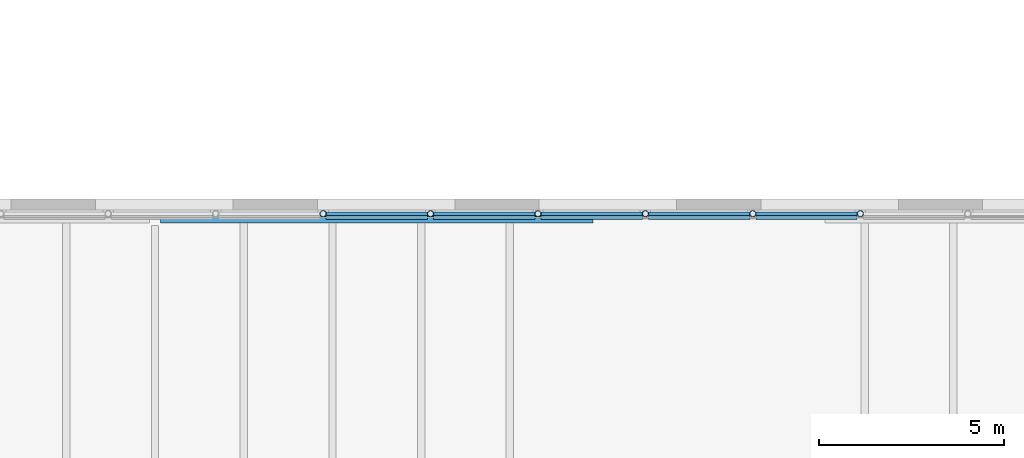
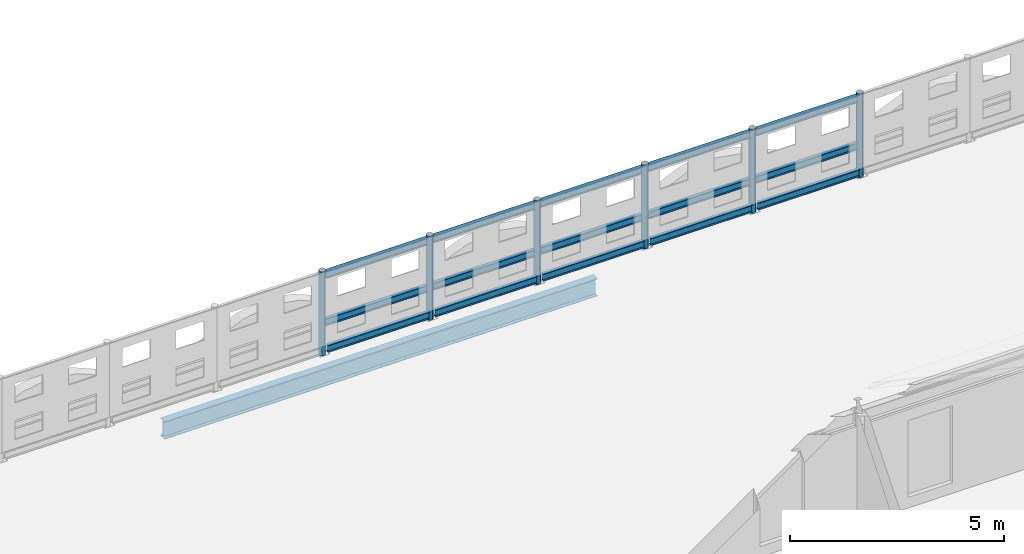
# One storey, part 35 of 91: 21 members, 1 beam.
"""IFC4 building model written with IfcOpenShell, lengths in metres."""

from ifc_helpers import new_model, si_unit, direction, frame, origin, origin_2d, place, context, subcontext, project, spatial, hollow_circle, i_section, extrude, material, material_profile, profile_set, type_object, element, save


model = new_model("IFC4")

# Units and contexts
model_context = context("Model", 3, precision=1e-05, world=origin(), true_north=direction((0.0, 1.0)))
body_context = subcontext(model_context, "Body", "Model", "MODEL_VIEW")
ifc_project = project(units=[si_unit("LENGTHUNIT", "METRE"), si_unit("AREAUNIT", "SQUARE_METRE"), si_unit("VOLUMEUNIT", "CUBIC_METRE"), si_unit("PLANEANGLEUNIT", "RADIAN"), si_unit("MASSUNIT", "GRAM", prefix="KILO")], contexts=[model_context])

# Site, building, storey
site_placement = place(None, origin())
site = spatial("IfcSite", under=ifc_project, at=site_placement, CompositionType="ELEMENT")
building_placement = place(site_placement, origin())
building = spatial("IfcBuilding", under=site, at=building_placement, Name="Ravi Spectrum Wholesale Market", CompositionType="ELEMENT")
storey_placement = place(building_placement, frame((0.0, 0.0, 16.199951171875)))
storey = spatial("IfcBuildingStorey", under=building, at=storey_placement, Name="ROOF PLANT LEVEL", CompositionType="ELEMENT", Elevation=16.199951171875)

# Members
ifc_material_1 = material(Name="Steel S355", Category="steel")
ifc_material_profile_1 = material_profile(ifc_material_1, hollow_circle(Radius=0.084228515625, WallThickness=0.00634765625, at=origin_2d()))
ifc_profile_set_1 = profile_set([ifc_material_profile_1], Name="Steel S355")
member_type_1 = type_object("IfcMemberType", Name="CHS 168.3x6.3 post", PredefinedType="POST", material=ifc_profile_set_1)
for number, where, z_axis, x_axis, name in (
    (1, (253.0810546875, 66.14990234375, 0.0), (0.0, 0.0, 1.0), (1.0, 0.0, 0.0), "CS-MB-ROOF-057"),
    (2, (250.174072265625, 66.14990234375, 0.0), (0.0, 0.0, 1.0), (1.0, 0.0, 0.0), "CS-MB-ROOF-058"),
    (3, (247.267333984375, 66.14990234375, 0.0), (0.0, 0.0, 1.0), (1.0, 0.0, 0.0), "CS-MB-ROOF-059"),
    (4, (244.3603515625, 66.14990234375, 0.0), (0.0, 0.0, 1.0), (1.0, 0.0, 0.0), "CS-MB-ROOF-060"),
    (5, (241.453369140625, 66.14990234375, 0.0), (0.0, 0.0, 1.0), (1.0, 0.0, 0.0), "CS-MB-ROOF-061"),
    (6, (238.546630859375, 66.14990234375, 0.0), (0.0, 0.0, 1.0), (1.0, 0.0, 0.0), "CS-MB-ROOF-062"),
):
    element("IfcMember", number, at=place(storey_placement, frame(where, z_axis=z_axis, x_axis=x_axis)), inside=storey, type_object=member_type_1, Name=name, PredefinedType="POST", context=body_context, shape_type="SweptSolid", body=[
        extrude(hollow_circle(Radius=0.084228515625, WallThickness=0.00634765625, at=origin_2d()), origin(), (0.0, 0.0, 1.0), 2.400146484375),
    ])
ifc_material_2 = material(Name="Steel S355", Category="steel")
ifc_material_profile_2 = material_profile(ifc_material_2, i_section(OverallWidth=0.10009765625, OverallDepth=0.199951171875, WebThickness=0.005615234375, FlangeThickness=0.008544921875, at=origin_2d()))
ifc_profile_set_2 = profile_set([ifc_material_profile_2], Name="Steel S355")
member_type_2 = type_object("IfcMemberType", Name="IPE 200 purlin", PredefinedType="PURLIN", material=ifc_profile_set_2)
for number, where, z_axis, x_axis, name in (
    (7, (252.996826171875, 66.14990234375, 0.900146484375), (-1.0, 0.0, 0.0), (0.0, -1.0, 0.0), "CS-MB-ROOF-255"),
    (8, (252.996826171875, 66.14990234375, 2.25), (-1.0, 0.0, 0.0), (0.0, -1.0, 0.0), "CS-MB-ROOF-256"),
    (9, (252.996826171875, 66.05078125, 0.199951171875), (-1.0, 0.0, 0.0), (0.0, -1.0, 0.0), "CS-MB-ROOF-257"),
):
    element("IfcMember", number, at=place(storey_placement, frame(where, z_axis=z_axis, x_axis=x_axis)), inside=storey, type_object=member_type_2, Name=name, PredefinedType="PURLIN", context=body_context, shape_type="SweptSolid", body=[
        extrude(i_section(OverallWidth=0.10009765625, OverallDepth=0.199951171875, WebThickness=0.005615234375, FlangeThickness=0.008544921875, at=origin_2d()), origin(), (0.0, 0.0, 1.0), 2.738525390625),
    ])
for number, where, z_axis, x_axis, name in (
    (10, (250.090087890625, 66.14990234375, 0.900146484375), (-1.0, 0.0, 0.0), (0.0, -1.0, 0.0), "CS-MB-ROOF-258"),
    (11, (250.090087890625, 66.14990234375, 2.25), (-1.0, 0.0, 0.0), (0.0, -1.0, 0.0), "CS-MB-ROOF-259"),
    (12, (250.090087890625, 66.05078125, 0.199951171875), (-1.0, 0.0, 0.0), (0.0, -1.0, 0.0), "CS-MB-ROOF-260"),
):
    element("IfcMember", number, at=place(storey_placement, frame(where, z_axis=z_axis, x_axis=x_axis)), inside=storey, type_object=member_type_2, Name=name, PredefinedType="PURLIN", context=body_context, shape_type="SweptSolid", body=[
        extrude(i_section(OverallWidth=0.10009765625, OverallDepth=0.199951171875, WebThickness=0.005615234375, FlangeThickness=0.008544921875, at=origin_2d()), origin(), (0.0, 0.0, 1.0), 2.73876953125),
    ])
for number, where, z_axis, x_axis, name in (
    (13, (247.18310546875, 66.14990234375, 0.900146484375), (-1.0, 0.0, 0.0), (0.0, -1.0, 0.0), "CS-MB-ROOF-261"),
    (14, (247.18310546875, 66.14990234375, 2.25), (-1.0, 0.0, 0.0), (0.0, -1.0, 0.0), "CS-MB-ROOF-262"),
    (15, (247.18310546875, 66.05078125, 0.199951171875), (-1.0, 0.0, 0.0), (0.0, -1.0, 0.0), "CS-MB-ROOF-263"),
    (16, (244.276123046875, 66.14990234375, 0.900146484375), (-1.0, 0.0, 0.0), (0.0, -1.0, 0.0), "CS-MB-ROOF-264"),
    (17, (244.276123046875, 66.14990234375, 2.25), (-1.0, 0.0, 0.0), (0.0, -1.0, 0.0), "CS-MB-ROOF-265"),
    (18, (244.276123046875, 66.05078125, 0.199951171875), (-1.0, 0.0, 0.0), (0.0, -1.0, 0.0), "CS-MB-ROOF-266"),
):
    element("IfcMember", number, at=place(storey_placement, frame(where, z_axis=z_axis, x_axis=x_axis)), inside=storey, type_object=member_type_2, Name=name, PredefinedType="PURLIN", context=body_context, shape_type="SweptSolid", body=[
        extrude(i_section(OverallWidth=0.10009765625, OverallDepth=0.199951171875, WebThickness=0.005615234375, FlangeThickness=0.008544921875, at=origin_2d()), origin(), (0.0, 0.0, 1.0), 2.738525390625),
    ])
for number, where, z_axis, x_axis, name in (
    (19, (241.369384765625, 66.14990234375, 0.900146484375), (-1.0, 0.0, 0.0), (0.0, -1.0, 0.0), "CS-MB-ROOF-267"),
    (20, (241.369384765625, 66.14990234375, 2.25), (-1.0, 0.0, 0.0), (0.0, -1.0, 0.0), "CS-MB-ROOF-268"),
    (21, (241.369384765625, 66.05078125, 0.199951171875), (-1.0, 0.0, 0.0), (0.0, -1.0, 0.0), "CS-MB-ROOF-269"),
):
    element("IfcMember", number, at=place(storey_placement, frame(where, z_axis=z_axis, x_axis=x_axis)), inside=storey, type_object=member_type_2, Name=name, PredefinedType="PURLIN", context=body_context, shape_type="SweptSolid", body=[
        extrude(i_section(OverallWidth=0.10009765625, OverallDepth=0.199951171875, WebThickness=0.005615234375, FlangeThickness=0.008544921875, at=origin_2d()), origin(), (0.0, 0.0, 1.0), 2.73876953125),
    ])

# Beam
ifc_material_3 = material(Name="Steel S355", Category="steel")
ifc_material_profile_3 = material_profile(ifc_material_3, i_section(OverallWidth=0.199951171875, OverallDepth=0.5, WebThickness=0.01025390625, FlangeThickness=0.01611328125, at=origin_2d()))
ifc_profile_set_3 = profile_set([ifc_material_profile_3], Name="Steel S355")
beam_type = type_object("IfcBeamType", Name="IPE 500 beam", PredefinedType="BEAM", material=ifc_profile_set_3)
beam_placement = place(storey_placement, frame((234.14990234375, 66.0, -0.5), z_axis=(1.0, 0.0, 0.0), x_axis=(0.0, 1.0, 0.0)))
element("IfcBeam", 22, at=beam_placement, inside=storey, type_object=beam_type, Name="CS-BM-ROOF-032", PredefinedType="BEAM", context=body_context, shape_type="SweptSolid", body=[
    extrude(i_section(OverallWidth=0.199951171875, OverallDepth=0.5, WebThickness=0.01025390625, FlangeThickness=0.01611328125, at=origin_2d()), origin(), (0.0, 0.0, 1.0), 11.7001953125),
])

save(model, "model.ifc")
